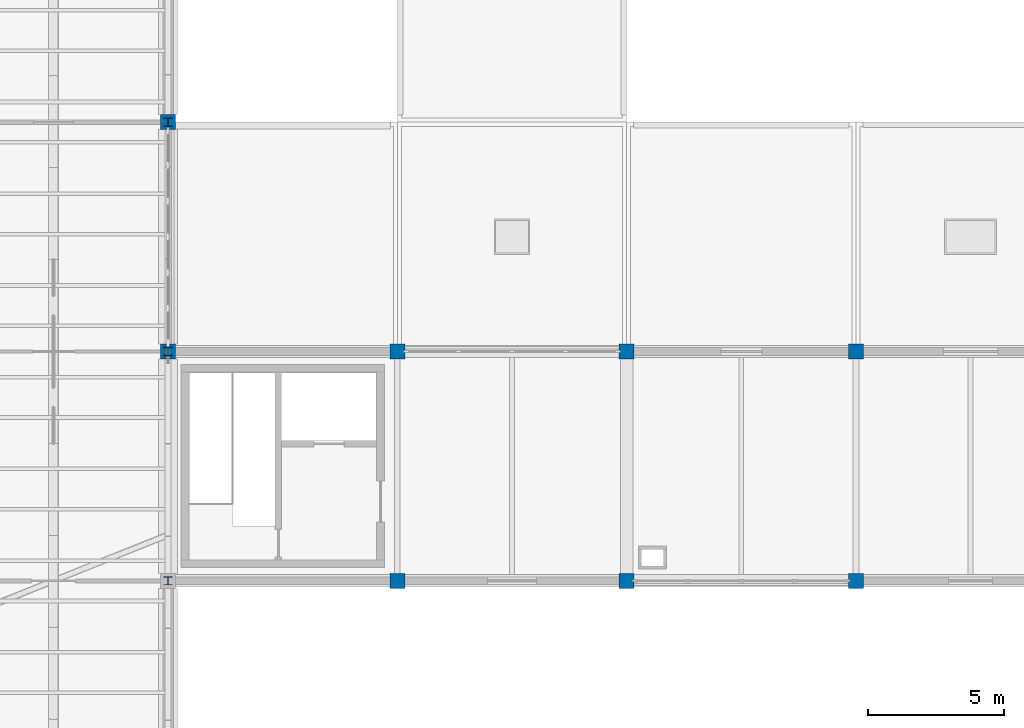
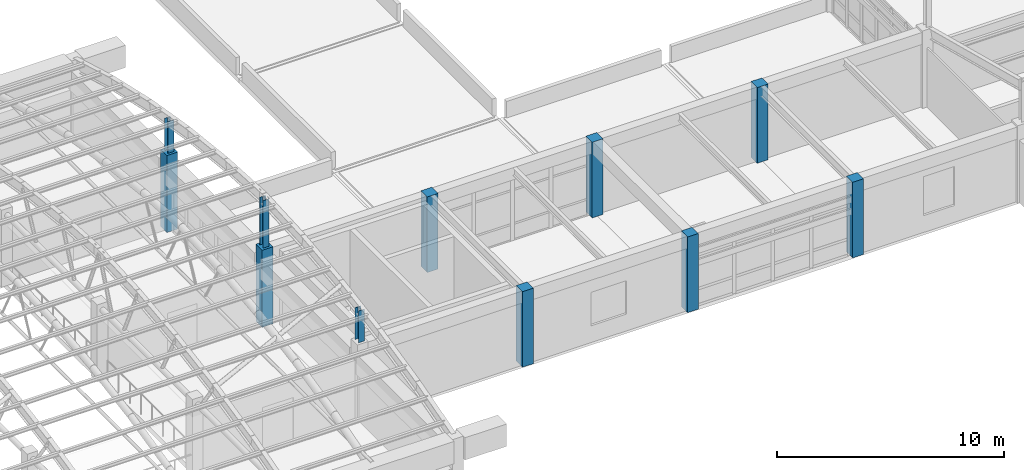
# One storey, part 4 of 74: 11 columns.
"""IFC4 building model written with IfcOpenShell, lengths in metres."""

from ifc_helpers import new_model, si_unit, direction, frame, origin, origin_2d, place, context, subcontext, project, spatial, rectangle, i_section, extrude, material, material_profile, profile_set, type_object, element, save


model = new_model("IFC4")

# Units and contexts
model_context = context("Model", 3, precision=1e-05, world=origin(), true_north=direction((0.0, 1.0)))
body_context = subcontext(model_context, "Body", "Model", "MODEL_VIEW")
ifc_project = project(units=[si_unit("LENGTHUNIT", "METRE"), si_unit("AREAUNIT", "SQUARE_METRE"), si_unit("VOLUMEUNIT", "CUBIC_METRE"), si_unit("PLANEANGLEUNIT", "RADIAN"), si_unit("MASSUNIT", "GRAM", prefix="KILO")], contexts=[model_context])

# Site, building, storey
site_placement = place(None, origin())
site = spatial("IfcSite", under=ifc_project, at=site_placement, CompositionType="ELEMENT")
building_placement = place(site_placement, origin())
building = spatial("IfcBuilding", under=site, at=building_placement, Name="Porcellanite Civic Hall", CompositionType="ELEMENT")
storey_placement = place(building_placement, frame((0.0, 0.0, 14.760009765625)))
storey = spatial("IfcBuildingStorey", under=building, at=storey_placement, Name="L03", CompositionType="ELEMENT", Elevation=14.760009765625)

# Columns
ifc_material_1 = material(Name="Concrete N50 (50 MPa)", Category="concrete")
ifc_material_profile_1 = material_profile(ifc_material_1, rectangle(XDim=0.550048828125, YDim=0.550048828125, at=origin_2d()), Name="RC-550x550")
ifc_profile_set_1 = profile_set([ifc_material_profile_1], Name="Concrete N50 (50 MPa)")
column_type_1 = type_object("IfcColumnType", Name="COL-550", PredefinedType="COLUMN", material=ifc_profile_set_1)
for number, where, z_axis, x_axis, name in (
    (1, (109.199951171875, 58.800048828125, 0.0), (0.0, 0.0, 1.0), (1.0, 0.0, 0.0), "Column L03 13-7"),
    (2, (109.199951171875, 67.199951171875, 0.0), (0.0, 0.0, 1.0), (1.0, 0.0, 0.0), "Column L03 13-8"),
):
    element("IfcColumn", number, at=place(storey_placement, frame(where, z_axis=z_axis, x_axis=x_axis)), inside=storey, type_object=column_type_1, Name=name, PredefinedType="COLUMN", context=body_context, shape_type="SweptSolid", body=[
        extrude(rectangle(XDim=0.550048828125, YDim=0.550048828125, at=origin_2d()), origin(), (0.0, 0.0, 1.0), 4.139892578125),
    ])
for number, where, z_axis, x_axis, name in (
    (3, (117.60009765625, 50.39990234375, 0.0), (0.0, 0.0, 1.0), (1.0, 0.0, 0.0), "Column L03 14-6"),
    (4, (117.60009765625, 58.800048828125, 0.0), (0.0, 0.0, 1.0), (1.0, 0.0, 0.0), "Column L03 14-7"),
    (5, (126.0, 50.39990234375, 0.0), (0.0, 0.0, 1.0), (1.0, 0.0, 0.0), "Column L03 15-6"),
    (6, (126.0, 58.800048828125, 0.0), (0.0, 0.0, 1.0), (1.0, 0.0, 0.0), "Column L03 15-7"),
    (7, (134.39990234375, 50.39990234375, 0.0), (0.0, 0.0, 1.0), (1.0, 0.0, 0.0), "Column L03 16-6"),
    (8, (134.39990234375, 58.800048828125, 0.0), (0.0, 0.0, 1.0), (1.0, 0.0, 0.0), "Column L03 16-7"),
):
    element("IfcColumn", number, at=place(storey_placement, frame(where, z_axis=z_axis, x_axis=x_axis)), inside=storey, type_object=column_type_1, Name=name, PredefinedType="COLUMN", context=body_context, shape_type="SweptSolid", body=[
        extrude(rectangle(XDim=0.550048828125, YDim=0.550048828125, at=origin_2d()), origin(), (0.0, 0.0, 1.0), 4.070068359375),
    ])
ifc_material_2 = material(Name="Steel Grade 350", Category="steel")
ifc_material_profile_2 = material_profile(ifc_material_2, i_section(OverallWidth=0.304931640625, OverallDepth=0.30810546875, WebThickness=0.010009765625, FlangeThickness=0.015380859375, FilletRadius=0.0166015625, at=origin_2d()), Name="310UC96.8")
ifc_profile_set_2 = profile_set([ifc_material_profile_2], Name="Steel Grade 350")
column_type_2 = type_object("IfcColumnType", Name="SCOL-310UC97", PredefinedType="COLUMN", material=ifc_profile_set_2)
column_1_placement = place(storey_placement, frame((109.199951171875, 50.39990234375, 4.139892578125), z_axis=(0.0, 0.0, 1.0), x_axis=(1.0, 0.0, 0.0)))
element("IfcColumn", 9, at=column_1_placement, inside=storey, type_object=column_type_2, Name="Chamber gable column 13-6", PredefinedType="COLUMN", context=body_context, shape_type="SweptSolid", body=[
    extrude(i_section(OverallWidth=0.304931640625, OverallDepth=0.30810546875, WebThickness=0.010009765625, FlangeThickness=0.015380859375, FilletRadius=0.0166015625, at=origin_2d()), origin(), (0.0, 0.0, 1.0), 1.708984375),
])
column_2_placement = place(storey_placement, frame((109.199951171875, 58.800048828125, 4.139892578125), z_axis=(0.0, 0.0, 1.0), x_axis=(1.0, 0.0, 0.0)))
element("IfcColumn", 10, at=column_2_placement, inside=storey, type_object=column_type_2, Name="Chamber gable column 13-7", PredefinedType="COLUMN", context=body_context, shape_type="SweptSolid", body=[
    extrude(i_section(OverallWidth=0.304931640625, OverallDepth=0.30810546875, WebThickness=0.010009765625, FlangeThickness=0.015380859375, FilletRadius=0.0166015625, at=origin_2d()), origin(), (0.0, 0.0, 1.0), 2.557861328125),
])
column_3_placement = place(storey_placement, frame((109.199951171875, 67.199951171875, 4.139892578125), z_axis=(0.0, 0.0, 1.0), x_axis=(1.0, 0.0, 0.0)))
element("IfcColumn", 11, at=column_3_placement, inside=storey, type_object=column_type_2, Name="Chamber gable column 13-8", PredefinedType="COLUMN", context=body_context, shape_type="SweptSolid", body=[
    extrude(i_section(OverallWidth=0.304931640625, OverallDepth=0.30810546875, WebThickness=0.010009765625, FlangeThickness=0.015380859375, FilletRadius=0.0166015625, at=origin_2d()), origin(), (0.0, 0.0, 1.0), 1.708984375),
])

save(model, "model.ifc")
